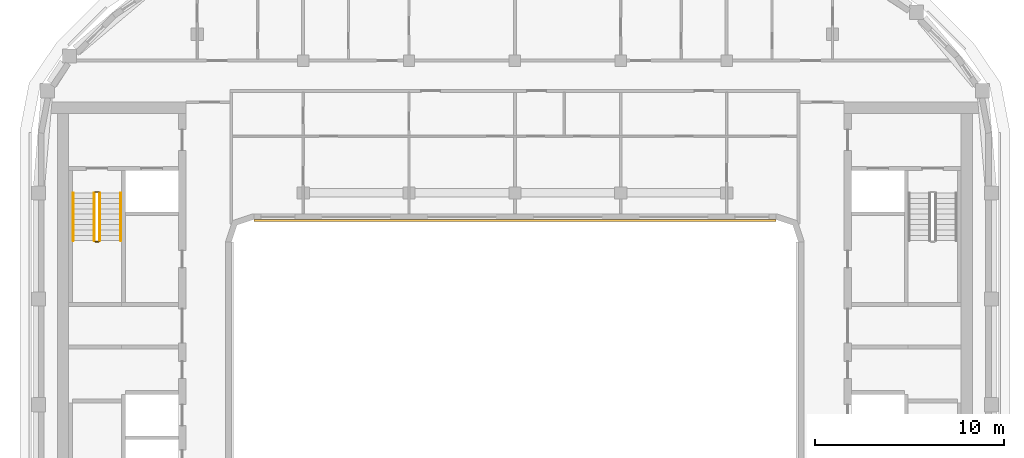
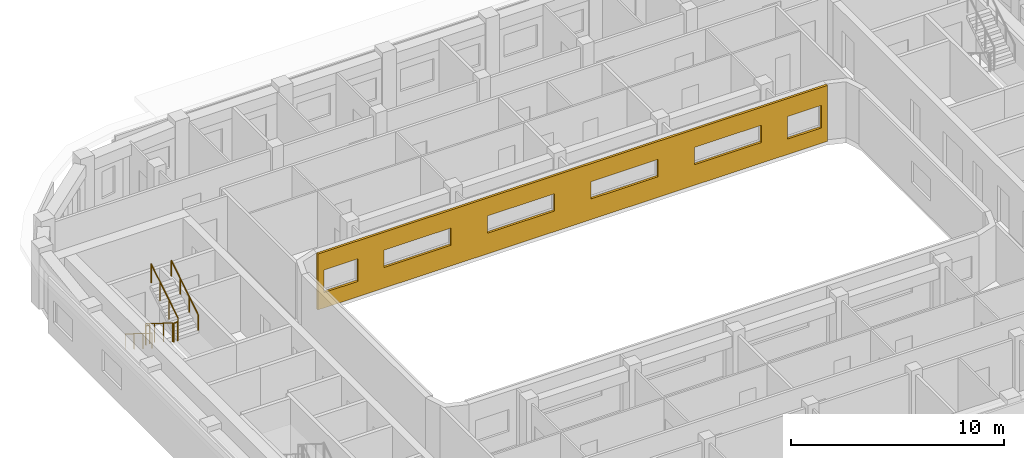
# One storey, part 12 of 16: 6 railings, 1 covering.
"""IFC4 building model written with IfcOpenShell, lengths in metres."""

from ifc_helpers import new_model, si_unit, direction, frame, origin, origin_2d, place, context, subcontext, project, spatial, polyline, circle, outline, extrude, material, layer, layer_set, type_object, element, save


model = new_model("IFC4")

# Units and contexts
model_context = context("Model", 3, precision=1e-05, world=origin(), true_north=direction((0.0, 1.0)))
body_context = subcontext(model_context, "Body", "Model", "MODEL_VIEW")
ifc_project = project(units=[si_unit("LENGTHUNIT", "METRE"), si_unit("AREAUNIT", "SQUARE_METRE"), si_unit("VOLUMEUNIT", "CUBIC_METRE"), si_unit("PLANEANGLEUNIT", "RADIAN"), si_unit("MASSUNIT", "GRAM", prefix="KILO")], contexts=[model_context])

# Site, building, storey
site_placement = place(None, origin())
site = spatial("IfcSite", under=ifc_project, at=site_placement, CompositionType="ELEMENT")
building_placement = place(site_placement, origin())
building = spatial("IfcBuilding", under=site, at=building_placement, Name="Kiln Ring Residences", CompositionType="ELEMENT")
storey_placement = place(building_placement, frame((0.0, 0.0, 269.699951171875)))
storey = spatial("IfcBuildingStorey", under=building, at=storey_placement, Name="L70", CompositionType="ELEMENT", Elevation=269.699951171875)

# Railings
ifc_material_1 = material(Name="Stainless steel", Category="steel")
railing_type_1 = type_object("IfcRailingType", Name="CORE-STAIR-GUARD", PredefinedType="GUARDRAIL", material=ifc_material_1)
railing_1_placement = place(storey_placement, frame((-22.25, 8.39990234375, 0.175048828125)))
element("IfcRailing", 1, at=railing_1_placement, inside=storey, type_object=railing_type_1, Name="L70 W-STN stair guard 1", PredefinedType="GUARDRAIL", context=body_context, shape_type="SweptSolid", body=[
    extrude(circle(Radius=0.02392578125, at=origin_2d()), frame((0.0, 0.0, 1.076171875), z_axis=(0.0, -0.848007534815, 0.529984170421), x_axis=(1.0, 0.0, 0.0)), (0.0, 0.0, 1.0), 2.9716796875),
    extrude(circle(Radius=0.02099609375, at=origin_2d()), origin(), (0.0, 0.0, 1.0), 1.052001953125),
    extrude(circle(Radius=0.02099609375, at=origin_2d()), frame((0.0, -0.840087890625, 0.52490234375)), (0.0, 0.0, 1.0), 1.052001953125),
    extrude(circle(Radius=0.02099609375, at=origin_2d()), frame((0.0, -1.679931640625, 1.050048828125)), (0.0, 0.0, 1.0), 1.052001953125),
    extrude(circle(Radius=0.02099609375, at=origin_2d()), frame((0.0, -2.52001953125, 1.574951171875)), (0.0, 0.0, 1.0), 1.052001953125),
])
railing_2_placement = place(storey_placement, frame((-22.199951171875, 5.830078125, 1.75)))
element("IfcRailing", 2, at=railing_2_placement, inside=storey, type_object=railing_type_1, Name="L70 W-STN stair guard 2", PredefinedType="GUARDRAIL", context=body_context, shape_type="SweptSolid", body=[
    extrude(circle(Radius=0.02392578125, at=origin_2d()), frame((0.0, 0.0, 1.076171875), z_axis=(1.0, 0.0, 0.0), x_axis=(0.0, 1.0, 0.0)), (0.0, 0.0, 1.0), 0.199951171875),
    extrude(circle(Radius=0.02099609375, at=origin_2d()), origin(), (0.0, 0.0, 1.0), 1.052001953125),
    extrude(circle(Radius=0.02099609375, at=origin_2d()), frame((0.199951171875, 0.0, 0.0)), (0.0, 0.0, 1.0), 1.052001953125),
])
railing_3_placement = place(storey_placement, frame((-21.949951171875, 5.8798828125, 1.925048828125)))
element("IfcRailing", 3, at=railing_3_placement, inside=storey, type_object=railing_type_1, Name="L70 W-STN stair guard 3", PredefinedType="GUARDRAIL", context=body_context, shape_type="SweptSolid", body=[
    extrude(circle(Radius=0.02392578125, at=origin_2d()), frame((0.0, 0.0, 1.076171875), z_axis=(0.0, 0.848007534815, 0.529984170421), x_axis=(-1.0, 0.0, 0.0)), (0.0, 0.0, 1.0), 2.9716796875),
    extrude(circle(Radius=0.02099609375, at=origin_2d()), origin(), (0.0, 0.0, 1.0), 1.052001953125),
    extrude(circle(Radius=0.02099609375, at=origin_2d()), frame((0.0, 0.840087890625, 0.52490234375)), (0.0, 0.0, 1.0), 1.052001953125),
    extrude(circle(Radius=0.02099609375, at=origin_2d()), frame((0.0, 1.679931640625, 1.050048828125)), (0.0, 0.0, 1.0), 1.052001953125),
    extrude(circle(Radius=0.02099609375, at=origin_2d()), frame((0.0, 2.52001953125, 1.574951171875)), (0.0, 0.0, 1.0), 1.052001953125),
])
railing_4_placement = place(storey_placement, frame((-22.199951171875, 8.449951171875, 0.0)))
element("IfcRailing", 4, at=railing_4_placement, inside=storey, type_object=railing_type_1, Name="L70 W-STN stair guard 4", PredefinedType="GUARDRAIL", context=body_context, shape_type="SweptSolid", body=[
    extrude(circle(Radius=0.02392578125, at=origin_2d()), frame((0.0, 0.0, 1.076171875), z_axis=(1.0, 0.0, 0.0), x_axis=(0.0, 1.0, 0.0)), (0.0, 0.0, 1.0), 0.199951171875),
    extrude(circle(Radius=0.02099609375, at=origin_2d()), origin(), (0.0, 0.0, 1.0), 1.052001953125),
    extrude(circle(Radius=0.02099609375, at=origin_2d()), frame((0.199951171875, 0.0, 0.0)), (0.0, 0.0, 1.0), 1.052001953125),
])
ifc_material_2 = material(Name="Stainless steel", Category="steel")
railing_type_2 = type_object("IfcRailingType", Name="CORE-STAIR-HANDRAIL", PredefinedType="HANDRAIL", material=ifc_material_2)
railing_5_placement = place(storey_placement, frame((-23.35009765625, 8.39990234375, 0.175048828125)))
element("IfcRailing", 5, at=railing_5_placement, inside=storey, type_object=railing_type_2, Name="L70 W-STN stair handrail 1", PredefinedType="HANDRAIL", context=body_context, shape_type="SweptSolid", body=[
    extrude(circle(Radius=0.02392578125, at=origin_2d()), frame((0.0, 0.0, 0.8759765625), z_axis=(0.0, -0.848007534815, 0.529984170421), x_axis=(1.0, 0.0, 0.0)), (0.0, 0.0, 1.0), 2.9716796875),
    extrude(circle(Radius=0.02099609375, at=origin_2d()), origin(), (0.0, 0.0, 1.0), 0.851806640625),
    extrude(circle(Radius=0.02099609375, at=origin_2d()), frame((0.0, -0.840087890625, 0.52490234375)), (0.0, 0.0, 1.0), 0.851806640625),
    extrude(circle(Radius=0.02099609375, at=origin_2d()), frame((0.0, -1.679931640625, 1.050048828125)), (0.0, 0.0, 1.0), 0.851806640625),
    extrude(circle(Radius=0.02099609375, at=origin_2d()), frame((0.0, -2.52001953125, 1.574951171875)), (0.0, 0.0, 1.0), 0.851806640625),
])
railing_6_placement = place(storey_placement, frame((-20.85009765625, 5.8798828125, 1.925048828125)))
element("IfcRailing", 6, at=railing_6_placement, inside=storey, type_object=railing_type_2, Name="L70 W-STN stair handrail 2", PredefinedType="HANDRAIL", context=body_context, shape_type="SweptSolid", body=[
    extrude(circle(Radius=0.02392578125, at=origin_2d()), frame((0.0, 0.0, 0.8759765625), z_axis=(0.0, 0.848007534815, 0.529984170421), x_axis=(-1.0, 0.0, 0.0)), (0.0, 0.0, 1.0), 2.9716796875),
    extrude(circle(Radius=0.02099609375, at=origin_2d()), origin(), (0.0, 0.0, 1.0), 0.851806640625),
    extrude(circle(Radius=0.02099609375, at=origin_2d()), frame((0.0, 0.840087890625, 0.52490234375)), (0.0, 0.0, 1.0), 0.851806640625),
    extrude(circle(Radius=0.02099609375, at=origin_2d()), frame((0.0, 1.679931640625, 1.050048828125)), (0.0, 0.0, 1.0), 0.851806640625),
    extrude(circle(Radius=0.02099609375, at=origin_2d()), frame((0.0, 2.52001953125, 1.574951171875)), (0.0, 0.0, 1.0), 0.851806640625),
])

# Covering
ifc_material_3 = material(Name="Brick masonry, dark clay brick", Category="masonry")
ifc_layer = layer(ifc_material_3, 0.1201171875)
ifc_layer_set = layer_set([ifc_layer], Name="RAINSCREEN PANEL 120")
covering_type = type_object("IfcCoveringType", Name="RAINSCREEN PANEL 120", PredefinedType="CLADDING", material=ifc_layer_set)
covering_placement = place(storey_placement, frame((-13.800048828125, 6.93994140625, 0.0), z_axis=(0.0, 0.0, 1.0), x_axis=(1.0, 0.0, 0.0)))
element("IfcCovering", 7, at=covering_placement, inside=storey, type_object=covering_type, Name="RAINSCREEN L70", PredefinedType="CLADDING", context=body_context, shape_type="SweptSolid", body=[
    extrude(outline(polyline([(0.0, 0.0), (27.60009765625, 0.0), (27.60009765625, 3.199951171875), (0.0, 3.199951171875), (0.0, 0.0)]), holes=[polyline([(2.1826171875, 0.880126953125), (2.1826171875, 2.170166015625), (0.342529296875, 2.170166015625), (0.342529296875, 0.880126953125), (2.1826171875, 0.880126953125)]), polyline([(25.41748046875, 0.880126953125), (27.257568359375, 0.880126953125), (27.257568359375, 2.170166015625), (25.41748046875, 2.170166015625), (25.41748046875, 0.880126953125)]), polyline([(3.580078125, 1.179931640625), (7.219970703125, 1.179931640625), (7.219970703125, 2.170166015625), (3.580078125, 2.170166015625), (3.580078125, 1.179931640625)]), polyline([(12.820068359375, 1.179931640625), (12.820068359375, 2.170166015625), (9.179931640625, 2.170166015625), (9.179931640625, 1.179931640625), (12.820068359375, 1.179931640625)]), polyline([(14.780029296875, 1.179931640625), (18.419921875, 1.179931640625), (18.419921875, 2.170166015625), (14.780029296875, 2.170166015625), (14.780029296875, 1.179931640625)]), polyline([(20.3798828125, 1.179931640625), (24.02001953125, 1.179931640625), (24.02001953125, 2.170166015625), (20.3798828125, 2.170166015625), (20.3798828125, 1.179931640625)])]), frame((0.0, 0.06005859375, 0.0), z_axis=(0.0, -1.0, 0.0), x_axis=(1.0, 0.0, 0.0)), (0.0, 0.0, 1.0), 0.1201171875),
])

save(model, "model.ifc")
